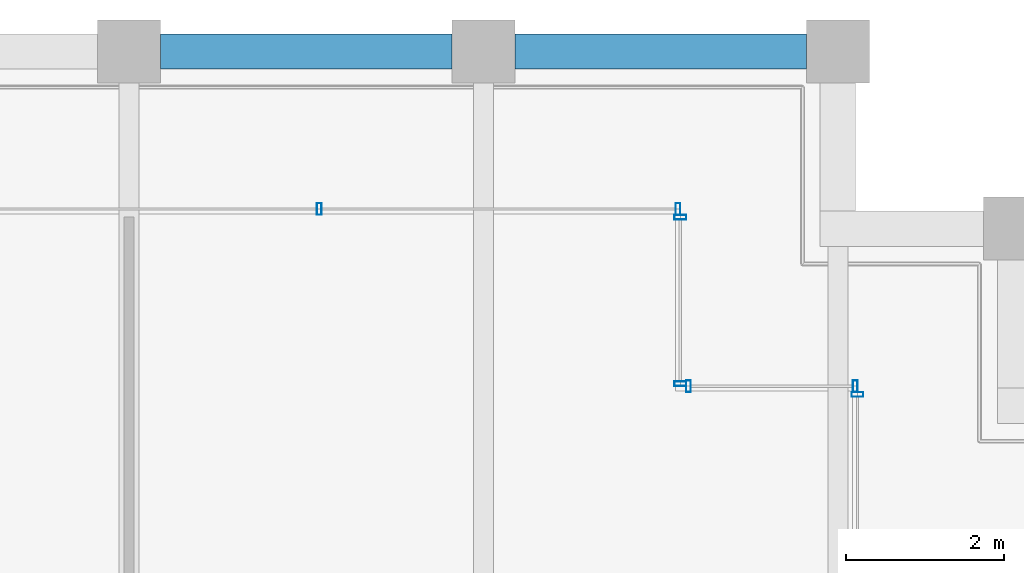
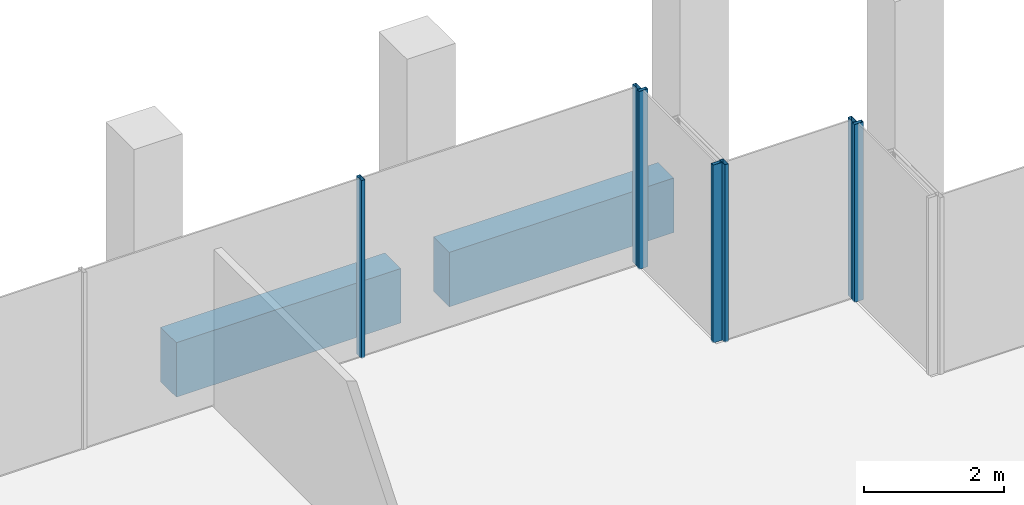
# One storey, part 26 of 30: 7 members, 2 beams, 4 elements without a shape of their own.
"""IFC4 building model written with IfcOpenShell, lengths in metres."""

import ifcopenshell
import ifcopenshell.guid

model = None  # the IFC model being written
_history = None  # IfcOwnerHistory: only IFC2X3 demands one
_inside = {}  # id of a spatial element -> (the spatial element, [elements in it])
_under = {}  # id of a project, library or spatial element -> (it, [spatial elements below it])
_declared = {}  # id of a project -> (the project, [libraries it declares])
_typed = {}  # id of a type object -> (the type object, [elements of that type])
_made_of = {}  # id of a material, layer set ... -> (it, [elements and type objects made of it])


def new_model(schema):
    """Start an empty IFC model of exactly this schema.

    Asked for "IFC4X3", IfcOpenShell would pick the latest addendum, in which some entities
    have other attributes; the version numbers below select the first issue.
    IFC2X3 requires an IfcOwnerHistory on every rooted entity: one is made here for all.
    """
    global model, _history
    if schema == "IFC4X3":
        model = ifcopenshell.file(schema_version=(4, 3, 0, 0))
    else:
        model = ifcopenshell.file(schema=schema)
    _inside.clear()
    _under.clear()
    _declared.clear()
    _typed.clear()
    _made_of.clear()
    _history = None
    if model.schema == "IFC2X3":
        org = make("IfcOrganization", Name="unknown")
        user = make(
            "IfcPersonAndOrganization",
            ThePerson=make("IfcPerson", FamilyName="unknown"),
            TheOrganization=org,
        )
        app = make(
            "IfcApplication",
            ApplicationDeveloper=org,
            Version="unknown",
            ApplicationFullName="unknown",
            ApplicationIdentifier="unknown",
        )
        _history = make(
            "IfcOwnerHistory",
            OwningUser=user,
            OwningApplication=app,
            ChangeAction="ADDED",
            CreationDate=0,
        )
    return model


def make(cls, **values):
    """One entity of the class cls with the attributes given. An attribute that is None is left unset."""
    return model.create_entity(
        cls, **{name: value for name, value in values.items() if value is not None}
    )


def rooted(cls, **values):
    """An entity with a GlobalId (a new one), such as an element, a storey or a relation."""
    return make(cls, GlobalId=ifcopenshell.guid.new(), OwnerHistory=_history, **values)


def si_unit(unit_type, name, prefix=None):
    """IfcSIUnit, for example si_unit("LENGTHUNIT", "METRE", prefix="MILLI")."""
    return make("IfcSIUnit", UnitType=unit_type, Prefix=prefix, Name=name)


def assignment(units):
    """IfcUnitAssignment: the units of a project."""
    return None if units is None else make("IfcUnitAssignment", Units=units)


def point(xyz):
    """IfcCartesianPoint."""
    return None if xyz is None else make("IfcCartesianPoint", Coordinates=xyz)


def direction(xyz):
    """IfcDirection."""
    return None if xyz is None else make("IfcDirection", DirectionRatios=xyz)


def frame(location, z_axis=None, x_axis=None):
    """IfcAxis2Placement3D, a coordinate frame: its origin and axes. An axis left out is left unset."""
    return make(
        "IfcAxis2Placement3D",
        Location=point(location),
        Axis=direction(z_axis),
        RefDirection=direction(x_axis),
    )


def frame_2d(location, x_axis=None):
    """IfcAxis2Placement2D, a coordinate frame in the plane: its origin and x axis."""
    return make(
        "IfcAxis2Placement2D", Location=point(location), RefDirection=direction(x_axis)
    )


def origin():
    """The frame at (0, 0, 0) with its axes left unset."""
    return frame((0.0, 0.0, 0.0))


def origin_2d():
    """The frame at (0, 0) in the plane with its x axis left unset."""
    return frame_2d((0.0, 0.0))


def place(relative_to, where):
    """IfcLocalPlacement: puts the frame where relative to a parent placement (None: the world)."""
    return make(
        "IfcLocalPlacement", PlacementRelTo=relative_to, RelativePlacement=where
    )


def context(
    kind, dimensions, precision=None, world=None, true_north=None, identifier=None
):
    """IfcGeometricRepresentationContext, for example the 3D "Model" context."""
    return make(
        "IfcGeometricRepresentationContext",
        ContextIdentifier=identifier,
        ContextType=kind,
        CoordinateSpaceDimension=dimensions,
        Precision=precision,
        WorldCoordinateSystem=world,
        TrueNorth=true_north,
    )


def subcontext(parent, identifier, kind, view, scale=None):
    """IfcGeometricRepresentationSubContext, for example "Body" below "Model"."""
    return make(
        "IfcGeometricRepresentationSubContext",
        ContextIdentifier=identifier,
        ContextType=kind,
        ParentContext=parent,
        TargetScale=scale,
        TargetView=view,
    )


def project(units=None, contexts=None):
    """IfcProject with its units and contexts."""
    return rooted(
        "IfcProject",
        Name="project",
        RepresentationContexts=contexts,
        UnitsInContext=assignment(units),
    )


def spatial(cls, under=None, at=None, **own):
    """A site, building, storey or space (cls), placed at a placement, below another one or the project."""
    s = rooted(cls, ObjectPlacement=at, **own)
    if under is not None:
        _under.setdefault(under.id(), (under, []))[1].append(s)
    return s


def profile(cls, at=None, kind="AREA", **sizes):
    """A parametric profile (cls). Its sizes go by their IFC names, for example OverallWidth=200.0."""
    return make(cls, ProfileType=kind, Position=at, **sizes)


def rectangle(**sizes):
    """IfcRectangleProfileDef."""
    return profile("IfcRectangleProfileDef", **sizes)


def hollow_rectangle(**sizes):
    """IfcRectangleHollowProfileDef."""
    return profile("IfcRectangleHollowProfileDef", **sizes)


def extrude(swept, where, along, depth):
    """IfcExtrudedAreaSolid: the profile swept, set in the frame where, extruded along a direction by depth."""
    return make(
        "IfcExtrudedAreaSolid",
        SweptArea=swept,
        Position=where,
        ExtrudedDirection=direction(along),
        Depth=depth,
    )


def shape(context_of_items, identifier, shape_type, items):
    """IfcShapeRepresentation: the items that make up one representation, for example the "Body"."""
    return make(
        "IfcShapeRepresentation",
        ContextOfItems=context_of_items,
        RepresentationIdentifier=identifier,
        RepresentationType=shape_type,
        Items=items,
    )


def material(Name=None, Category=None):
    """IfcMaterial."""
    return make("IfcMaterial", Name=Name, Category=Category)


def material_profile(
    of_material, cross_section, Name=None, Category=None, Priority=None
):
    """IfcMaterialProfile: a cross section and its material."""
    return make(
        "IfcMaterialProfile",
        Name=Name,
        Material=of_material,
        Profile=cross_section,
        Priority=Priority,
        Category=Category,
    )


def profile_set(profiles, Name=None, composite=None):
    """IfcMaterialProfileSet."""
    return make(
        "IfcMaterialProfileSet",
        Name=Name,
        MaterialProfiles=profiles,
        CompositeProfile=composite,
    )


def made_of(thing, what):
    """Note that an element or type object is made of a material, layer set ...; save() writes the relation."""
    if what is not None:
        _made_of.setdefault(what.id(), (what, []))[1].append(thing)
    return thing


def type_object(cls, material=None, **own):
    """A type object (cls), such as IfcWallType, which elements share."""
    return made_of(rooted(cls, **own), material)


def element(
    cls,
    number,
    at=None,
    inside=None,
    cuts=None,
    type_object=None,
    material=None,
    context=None,
    identifier="Body",
    shape_type=None,
    held_by="IfcProductDefinitionShape",
    body=None,
    shapes=None,
    **own,
):
    """One element of the class cls, such as IfcWall. Its Tag is "e" and its number.

    at: its placement. inside: the storey or other place that contains it. cuts: it is an
    opening in that element (IfcRelVoidsElement). A single representation is given by context,
    identifier, shape_type and body (its items); several are given by shapes. held_by: the class
    of the entity that holds the representations. save() writes the other relations.
    """
    e = rooted(cls, Tag="e%d" % number, ObjectPlacement=at, **own)
    if body is not None:
        shapes = [shape(context, identifier, shape_type, body)]
    if shapes is not None:
        e.Representation = make(held_by, Representations=shapes)
    if inside is not None:
        _inside.setdefault(inside.id(), (inside, []))[1].append(e)
    if cuts is not None:
        rooted(
            "IfcRelVoidsElement", RelatingBuildingElement=cuts, RelatedOpeningElement=e
        )
    if type_object is not None:
        _typed.setdefault(type_object.id(), (type_object, []))[1].append(e)
    return made_of(e, material)


def aggregate(whole, parts):
    """IfcRelAggregates: a whole, such as a stair, and the parts it consists of."""
    return rooted("IfcRelAggregates", RelatingObject=whole, RelatedObjects=parts)


def save(model, path):
    """Write the relations noted so far, then the file.

    IfcRelAggregates (storeys below a building ...), IfcRelContainedInSpatialStructure (elements
    in a storey), IfcRelDefinesByType, IfcRelAssociatesMaterial and IfcRelDeclares: one each for
    every whole, place, type object, material and project.
    """
    for whole, parts in _under.values():
        aggregate(whole, parts)
    for where, things in _inside.values():
        rooted(
            "IfcRelContainedInSpatialStructure",
            RelatedElements=things,
            RelatingStructure=where,
        )
    for kind, things in _typed.values():
        rooted("IfcRelDefinesByType", RelatedObjects=things, RelatingType=kind)
    for what, things in _made_of.values():
        rooted("IfcRelAssociatesMaterial", RelatedObjects=things, RelatingMaterial=what)
    for by, libraries in _declared.values():
        rooted("IfcRelDeclares", RelatingContext=by, RelatedDefinitions=libraries)
    model.write(path)


model = new_model("IFC4")

# Units and contexts
model_context = context("Model", 3, precision=1e-05, world=origin(), true_north=direction((0.0, 1.0)))
body_context = subcontext(model_context, "Body", "Model", "MODEL_VIEW")
ifc_project = project(units=[si_unit("LENGTHUNIT", "METRE"), si_unit("AREAUNIT", "SQUARE_METRE"), si_unit("VOLUMEUNIT", "CUBIC_METRE"), si_unit("PLANEANGLEUNIT", "RADIAN"), si_unit("MASSUNIT", "GRAM", prefix="KILO")], contexts=[model_context])

# Site, building, storey
site_placement = place(None, origin())
site = spatial("IfcSite", under=ifc_project, at=site_placement, CompositionType="ELEMENT")
building_placement = place(site_placement, origin())
building = spatial("IfcBuilding", under=site, at=building_placement, Name="Altepetl Exchange Towers", CompositionType="ELEMENT")
storey_placement = place(building_placement, frame((0.0, 0.0, 235.199951171875)))
storey = spatial("IfcBuildingStorey", under=building, at=storey_placement, Name="L60", CompositionType="ELEMENT", Elevation=235.199951171875)

# Curtain wall, member
ifc_material_1 = material(Name="Aluminium 6063-T6 glazing", Category="aluminium")
curtain_wall_type = type_object("IfcCurtainWallType", Name="Loggia glazing system", PredefinedType="NOTDEFINED", material=ifc_material_1)
curtain_wall_1_placement = place(storey_placement, origin())
curtain_wall_1 = element("IfcCurtainWall", 1, at=curtain_wall_1_placement, inside=storey, type_object=curtain_wall_type, Name="CW1 run", PredefinedType="NOTDEFINED")
ifc_material_2 = material(Name="Aluminium 6063-T6", Category="aluminium")
ifc_material_profile_1 = material_profile(ifc_material_2, hollow_rectangle(XDim=0.06005859375, YDim=0.14990234375, WallThickness=0.0029296875, at=origin_2d()), Name="Mullion 60x150 aluminium")
ifc_profile_set_1 = profile_set([ifc_material_profile_1], Name="Aluminium 6063-T6")
member_type = type_object("IfcMemberType", Name="Mullion 60x150 aluminium", PredefinedType="MULLION", material=ifc_profile_set_1)
member_1_placement = place(storey_placement, frame((67.75, 67.64501953125, 0.0), z_axis=(0.0, 0.0, 1.0), x_axis=(0.0, 1.0, 0.0)))
member_1 = element("IfcMember", 2, at=member_1_placement, type_object=member_type, Name="MU1 mullion", PredefinedType="MULLION", context=body_context, shape_type="SweptSolid", body=[
    extrude(hollow_rectangle(XDim=0.06005859375, YDim=0.14990234375, WallThickness=0.0029296875, at=origin_2d()), origin(), (0.0, 0.0, 1.0), 3.10009765625),
])
aggregate(curtain_wall_1, [member_1])

# Curtain wall, members
curtain_wall_2_placement = place(storey_placement, origin())
curtain_wall_2 = element("IfcCurtainWall", 3, at=curtain_wall_2_placement, inside=storey, type_object=curtain_wall_type, Name="CW1 run", PredefinedType="NOTDEFINED")
member_2_placement = place(storey_placement, frame((67.719970703125, 67.75, 0.0), z_axis=(0.0, 0.0, 1.0), x_axis=(-1.0, 0.0, 0.0)))
member_2 = element("IfcMember", 4, at=member_2_placement, type_object=member_type, Name="MU1 mullion", PredefinedType="MULLION", context=body_context, shape_type="SweptSolid", body=[
    extrude(hollow_rectangle(XDim=0.06005859375, YDim=0.14990234375, WallThickness=0.0029296875, at=origin_2d()), origin(), (0.0, 0.0, 1.0), 3.10009765625),
])
member_3_placement = place(storey_placement, frame((65.60498046875, 67.75, 0.0), z_axis=(0.0, 0.0, 1.0), x_axis=(-1.0, 0.0, 0.0)))
member_3 = element("IfcMember", 5, at=member_3_placement, type_object=member_type, Name="MU1 mullion", PredefinedType="MULLION", context=body_context, shape_type="SweptSolid", body=[
    extrude(hollow_rectangle(XDim=0.06005859375, YDim=0.14990234375, WallThickness=0.0029296875, at=origin_2d()), origin(), (0.0, 0.0, 1.0), 3.10009765625),
])
aggregate(curtain_wall_2, [member_2, member_3])

curtain_wall_3_placement = place(storey_placement, origin())
curtain_wall_3 = element("IfcCurtainWall", 6, at=curtain_wall_3_placement, inside=storey, type_object=curtain_wall_type, Name="CW1 run", PredefinedType="NOTDEFINED")
member_4_placement = place(storey_placement, frame((65.5, 67.780029296875, 0.0), z_axis=(0.0, 0.0, 1.0), x_axis=(0.0, 1.0, 0.0)))
member_4 = element("IfcMember", 7, at=member_4_placement, type_object=member_type, Name="MU1 mullion", PredefinedType="MULLION", context=body_context, shape_type="SweptSolid", body=[
    extrude(hollow_rectangle(XDim=0.06005859375, YDim=0.14990234375, WallThickness=0.0029296875, at=origin_2d()), origin(), (0.0, 0.0, 1.0), 3.10009765625),
])
member_5_placement = place(storey_placement, frame((65.5, 69.89501953125, 0.0), z_axis=(0.0, 0.0, 1.0), x_axis=(0.0, 1.0, 0.0)))
member_5 = element("IfcMember", 8, at=member_5_placement, type_object=member_type, Name="MU1 mullion", PredefinedType="MULLION", context=body_context, shape_type="SweptSolid", body=[
    extrude(hollow_rectangle(XDim=0.06005859375, YDim=0.14990234375, WallThickness=0.0029296875, at=origin_2d()), origin(), (0.0, 0.0, 1.0), 3.10009765625),
])
aggregate(curtain_wall_3, [member_4, member_5])

curtain_wall_4_placement = place(storey_placement, origin())
curtain_wall_4 = element("IfcCurtainWall", 9, at=curtain_wall_4_placement, inside=storey, type_object=curtain_wall_type, Name="CW1 run", PredefinedType="NOTDEFINED")
member_6_placement = place(storey_placement, frame((65.469970703125, 70.0, 0.0), z_axis=(0.0, 0.0, 1.0), x_axis=(-1.0, 0.0, 0.0)))
member_6 = element("IfcMember", 10, at=member_6_placement, type_object=member_type, Name="MU1 mullion", PredefinedType="MULLION", context=body_context, shape_type="SweptSolid", body=[
    extrude(hollow_rectangle(XDim=0.06005859375, YDim=0.14990234375, WallThickness=0.0029296875, at=origin_2d()), origin(), (0.0, 0.0, 1.0), 3.10009765625),
])
member_7_placement = place(storey_placement, frame((60.9150390625, 70.0, 0.0), z_axis=(0.0, 0.0, 1.0), x_axis=(-1.0, 0.0, 0.0)))
member_7 = element("IfcMember", 11, at=member_7_placement, type_object=member_type, Name="MU1 mullion", PredefinedType="MULLION", context=body_context, shape_type="SweptSolid", body=[
    extrude(hollow_rectangle(XDim=0.06005859375, YDim=0.14990234375, WallThickness=0.0029296875, at=origin_2d()), origin(), (0.0, 0.0, 1.0), 3.10009765625),
])
aggregate(curtain_wall_4, [member_6, member_7])

# Beams
ifc_material_3 = material(Name="Concrete C50/60 precast with cantera rosa facing", Category="concrete")
ifc_material_profile_2 = material_profile(ifc_material_3, rectangle(XDim=0.449951171875, YDim=0.949951171875, at=origin_2d()), Name="450 x 950")
ifc_profile_set_2 = profile_set([ifc_material_profile_2], Name="Concrete C50/60 precast with cantera rosa facing")
beam_type = type_object("IfcBeamType", Name="Spandrel beam 450x950 cantera rosa", PredefinedType="SPANDREL", material=ifc_profile_set_2)
for number, where, z_axis, x_axis, name in (
    (12, (67.10009765625, 72.0, -0.625), (-1.0, 0.0, 0.0), (0.0, -1.0, 0.0), "sp:A:L60:024"),
    (13, (62.60009765625, 72.0, -0.625), (-1.0, 0.0, 0.0), (0.0, -1.0, 0.0), "sp:A:L60:025"),
):
    element("IfcBeam", number, at=place(storey_placement, frame(where, z_axis=z_axis, x_axis=x_axis)), inside=storey, type_object=beam_type, Name=name, PredefinedType="SPANDREL", context=body_context, shape_type="SweptSolid", body=[
        extrude(rectangle(XDim=0.449951171875, YDim=0.949951171875, at=origin_2d()), origin(), (0.0, 0.0, 1.0), 3.7001953125),
    ])

save(model, "model.ifc")
